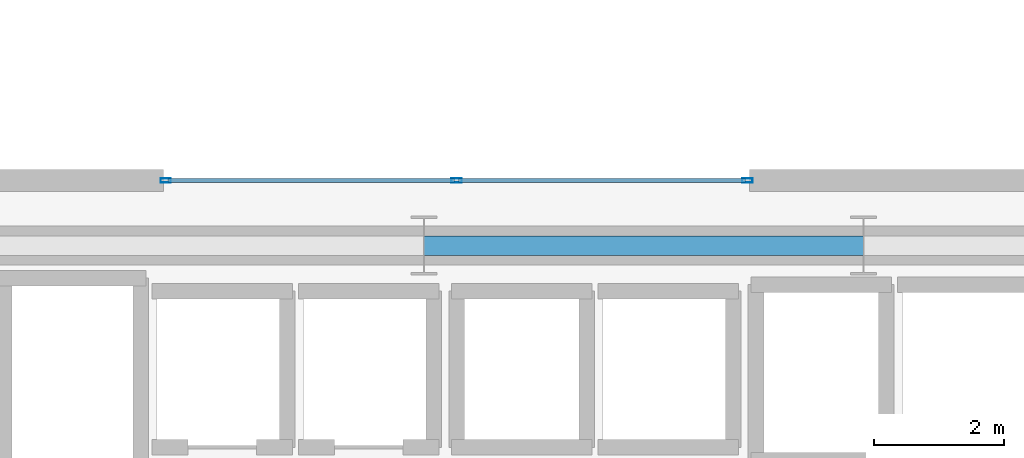
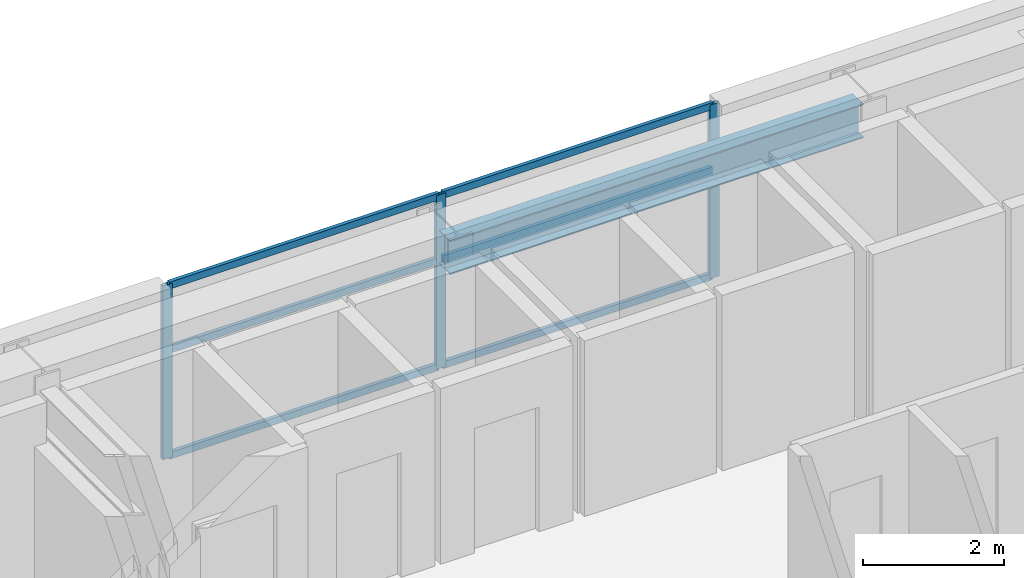
# One storey, part 4 of 25: 9 members, 1 beam, 1 element without a shape of its own.
"""IFC4 building model written with IfcOpenShell, lengths in metres."""

from ifc_helpers import new_model, si_unit, direction, frame, origin, origin_2d, place, context, subcontext, project, spatial, hollow_rectangle, i_section, extrude, material, layer, layer_set, material_profile, profile_set, type_object, element, aggregate, save


model = new_model("IFC4")

# Units and contexts
model_context = context("Model", 3, precision=1e-05, world=origin(), true_north=direction((0.0, 1.0)))
body_context = subcontext(model_context, "Body", "Model", "MODEL_VIEW")
ifc_project = project(units=[si_unit("LENGTHUNIT", "METRE"), si_unit("AREAUNIT", "SQUARE_METRE"), si_unit("VOLUMEUNIT", "CUBIC_METRE"), si_unit("PLANEANGLEUNIT", "RADIAN"), si_unit("MASSUNIT", "GRAM", prefix="KILO")], contexts=[model_context])

# Site, building, storey
site_placement = place(None, origin())
site = spatial("IfcSite", under=ifc_project, at=site_placement, CompositionType="ELEMENT")
building_placement = place(site_placement, origin())
building = spatial("IfcBuilding", under=site, at=building_placement, Name="Haevon Station Towers", CompositionType="ELEMENT")
storey_placement = place(building_placement, frame((0.0, 0.0, 50.39990234375)))
storey = spatial("IfcBuildingStorey", under=building, at=storey_placement, Name="L12", CompositionType="ELEMENT", Elevation=50.39990234375)

# Beam
ifc_material_1 = material(Name="Steel S355", Category="steel")
ifc_material_profile_1 = material_profile(ifc_material_1, i_section(OverallWidth=0.300048828125, OverallDepth=0.587890625, WebThickness=0.011962890625, FlangeThickness=0.02001953125, at=origin_2d()), Name="H-588x300x12x20")
ifc_profile_set_1 = profile_set([ifc_material_profile_1], Name="Steel S355")
beam_type = type_object("IfcBeamType", Name="BM-SP588", PredefinedType="SPANDREL", material=ifc_profile_set_1)
beam_placement = place(storey_placement, frame((37.5, 48.0, 2.756103515625), z_axis=(1.0, 0.0, 0.0), x_axis=(0.0, 1.0, 0.0)))
element("IfcBeam", 1, at=beam_placement, inside=storey, type_object=beam_type, Name="BM-T1U-L12-04-04", PredefinedType="SPANDREL", context=body_context, shape_type="SweptSolid", body=[
    extrude(i_section(OverallWidth=0.300048828125, OverallDepth=0.587890625, WebThickness=0.011962890625, FlangeThickness=0.02001953125, at=origin_2d()), origin(), (0.0, 0.0, 1.0), 6.75),
])

# Curtain wall, members
ifc_material_2 = material(Name="Anodised aluminium and Low-E double glazing", Category="aluminium")
ifc_layer = layer(ifc_material_2, 0.179931640625)
ifc_layer_set = layer_set([ifc_layer], Name="Anodised aluminium and Low-E double glazing")
curtain_wall_type = type_object("IfcCurtainWallType", Name="CW-SYS4", PredefinedType="NOTDEFINED", material=ifc_layer_set)
curtain_wall_placement = place(storey_placement, origin())
curtain_wall = element("IfcCurtainWall", 2, at=curtain_wall_placement, inside=storey, type_object=curtain_wall_type, Name="L12 Curtain Wall CW-T1-L12-N", PredefinedType="NOTDEFINED")
ifc_material_3 = material(Name="Anodised aluminium 6063-T6", Category="aluminium")
ifc_material_profile_2 = material_profile(ifc_material_3, hollow_rectangle(XDim=0.06494140625, YDim=0.159912109375, WallThickness=0.00390625, at=origin_2d()), Name="CWM-160x65x4")
ifc_profile_set_2 = profile_set([ifc_material_profile_2], Name="Anodised aluminium 6063-T6")
member_type_1 = type_object("IfcMemberType", Name="CWM-160", PredefinedType="MULLION", material=ifc_profile_set_2)
member_1_placement = place(storey_placement, frame((33.532470703125, 49.0, 0.0), z_axis=(0.0, 0.0, 1.0), x_axis=(0.0, 1.0, 0.0)))
member_1 = element("IfcMember", 3, at=member_1_placement, type_object=member_type_1, Name="CW-SYS4 mullion 1", PredefinedType="MULLION", context=body_context, shape_type="SweptSolid", body=[
    extrude(hollow_rectangle(XDim=0.06494140625, YDim=0.159912109375, WallThickness=0.00390625, at=origin_2d()), origin(), (0.0, 0.0, 1.0), 3.0),
])
member_2_placement = place(storey_placement, frame((38.0, 49.0, 0.0), z_axis=(0.0, 0.0, 1.0), x_axis=(0.0, 1.0, 0.0)))
member_2 = element("IfcMember", 4, at=member_2_placement, type_object=member_type_1, Name="CW-SYS4 mullion 2", PredefinedType="MULLION", context=body_context, shape_type="SweptSolid", body=[
    extrude(hollow_rectangle(XDim=0.06494140625, YDim=0.159912109375, WallThickness=0.00390625, at=origin_2d()), origin(), (0.0, 0.0, 1.0), 3.0),
])
member_3_placement = place(storey_placement, frame((42.467529296875, 49.0, 0.0), z_axis=(0.0, 0.0, 1.0), x_axis=(0.0, 1.0, 0.0)))
member_3 = element("IfcMember", 5, at=member_3_placement, type_object=member_type_1, Name="CW-SYS4 mullion 3", PredefinedType="MULLION", context=body_context, shape_type="SweptSolid", body=[
    extrude(hollow_rectangle(XDim=0.06494140625, YDim=0.159912109375, WallThickness=0.00390625, at=origin_2d()), origin(), (0.0, 0.0, 1.0), 3.0),
])
ifc_material_profile_3 = material_profile(ifc_material_3, hollow_rectangle(XDim=0.06005859375, YDim=0.1201171875, WallThickness=0.0029296875, at=origin_2d()), Name="CWT-120x60x3")
ifc_profile_set_3 = profile_set([ifc_material_profile_3], Name="Anodised aluminium 6063-T6")
member_type_2 = type_object("IfcMemberType", Name="CWT-120", PredefinedType="USERDEFINED", material=ifc_profile_set_3)
member_4_placement = place(storey_placement, frame((33.56494140625, 49.0, 0.030029296875), z_axis=(1.0, 0.0, 0.0), x_axis=(0.0, 1.0, 0.0)))
member_4 = element("IfcMember", 6, at=member_4_placement, type_object=member_type_2, Name="CW-SYS4 transom 1.1", ObjectType="TRANSOM", PredefinedType="USERDEFINED", context=body_context, shape_type="SweptSolid", body=[
    extrude(hollow_rectangle(XDim=0.06005859375, YDim=0.1201171875, WallThickness=0.0029296875, at=origin_2d()), origin(), (0.0, 0.0, 1.0), 4.402587890625),
])
member_5_placement = place(storey_placement, frame((33.56494140625, 49.0, 1.860107421875), z_axis=(1.0, 0.0, 0.0), x_axis=(0.0, 1.0, 0.0)))
member_5 = element("IfcMember", 7, at=member_5_placement, type_object=member_type_2, Name="CW-SYS4 transom 1.2", ObjectType="TRANSOM", PredefinedType="USERDEFINED", context=body_context, shape_type="SweptSolid", body=[
    extrude(hollow_rectangle(XDim=0.06005859375, YDim=0.1201171875, WallThickness=0.0029296875, at=origin_2d()), origin(), (0.0, 0.0, 1.0), 4.402587890625),
])
member_6_placement = place(storey_placement, frame((33.56494140625, 49.0, 2.97021484375), z_axis=(1.0, 0.0, 0.0), x_axis=(0.0, 1.0, 0.0)))
member_6 = element("IfcMember", 8, at=member_6_placement, type_object=member_type_2, Name="CW-SYS4 transom 1.3", ObjectType="TRANSOM", PredefinedType="USERDEFINED", context=body_context, shape_type="SweptSolid", body=[
    extrude(hollow_rectangle(XDim=0.06005859375, YDim=0.1201171875, WallThickness=0.0029296875, at=origin_2d()), origin(), (0.0, 0.0, 1.0), 4.402587890625),
])
member_7_placement = place(storey_placement, frame((38.032470703125, 49.0, 0.030029296875), z_axis=(1.0, 0.0, 0.0), x_axis=(0.0, 1.0, 0.0)))
member_7 = element("IfcMember", 9, at=member_7_placement, type_object=member_type_2, Name="CW-SYS4 transom 2.1", ObjectType="TRANSOM", PredefinedType="USERDEFINED", context=body_context, shape_type="SweptSolid", body=[
    extrude(hollow_rectangle(XDim=0.06005859375, YDim=0.1201171875, WallThickness=0.0029296875, at=origin_2d()), origin(), (0.0, 0.0, 1.0), 4.402587890625),
])
member_8_placement = place(storey_placement, frame((38.032470703125, 49.0, 1.860107421875), z_axis=(1.0, 0.0, 0.0), x_axis=(0.0, 1.0, 0.0)))
member_8 = element("IfcMember", 10, at=member_8_placement, type_object=member_type_2, Name="CW-SYS4 transom 2.2", ObjectType="TRANSOM", PredefinedType="USERDEFINED", context=body_context, shape_type="SweptSolid", body=[
    extrude(hollow_rectangle(XDim=0.06005859375, YDim=0.1201171875, WallThickness=0.0029296875, at=origin_2d()), origin(), (0.0, 0.0, 1.0), 4.402587890625),
])
member_9_placement = place(storey_placement, frame((38.032470703125, 49.0, 2.97021484375), z_axis=(1.0, 0.0, 0.0), x_axis=(0.0, 1.0, 0.0)))
member_9 = element("IfcMember", 11, at=member_9_placement, type_object=member_type_2, Name="CW-SYS4 transom 2.3", ObjectType="TRANSOM", PredefinedType="USERDEFINED", context=body_context, shape_type="SweptSolid", body=[
    extrude(hollow_rectangle(XDim=0.06005859375, YDim=0.1201171875, WallThickness=0.0029296875, at=origin_2d()), origin(), (0.0, 0.0, 1.0), 4.402587890625),
])
aggregate(curtain_wall, [member_1, member_2, member_3, member_4, member_5, member_6, member_7, member_8, member_9])

save(model, "model.ifc")
